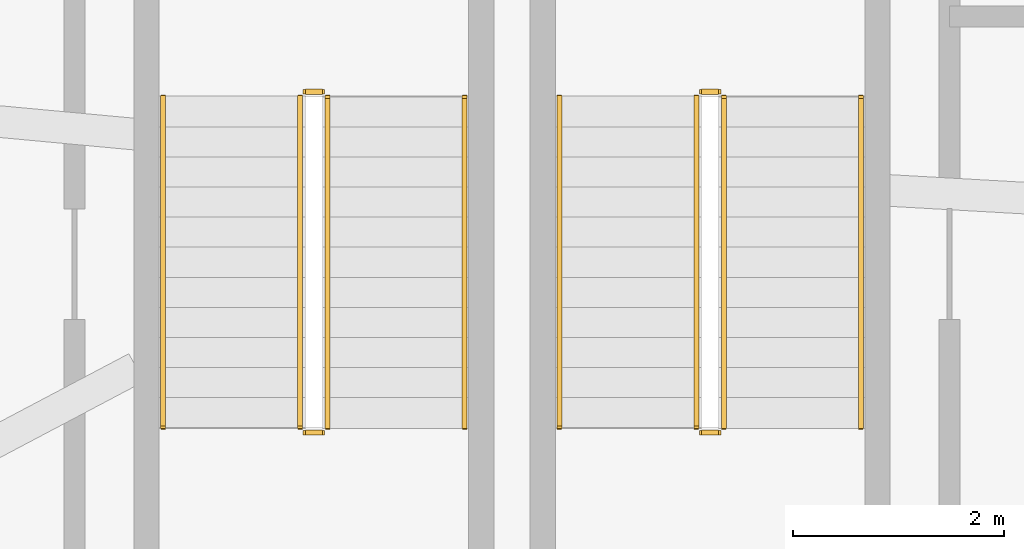
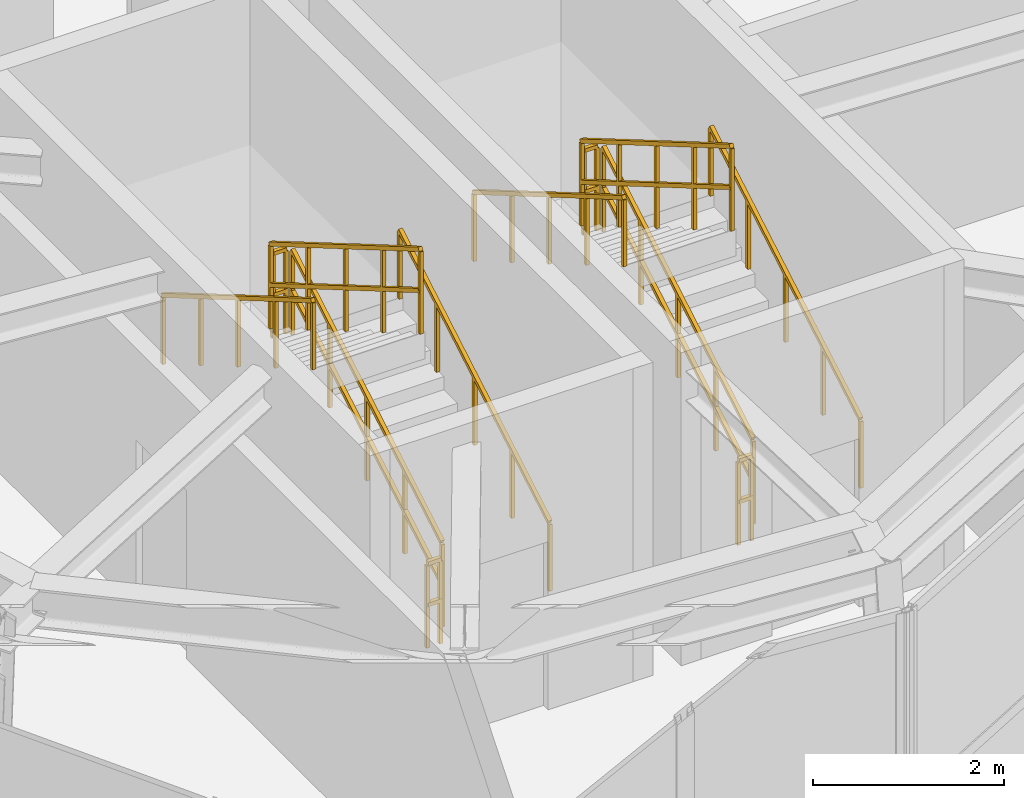
# One storey, part 9 of 9: 12 railings.
"""IFC4 building model written with IfcOpenShell, lengths in metres."""

from ifc_helpers import new_model, si_unit, direction, frame, origin, origin_2d, place, context, subcontext, project, spatial, rectangle, extrude, material, type_object, element, save


model = new_model("IFC4")

# Units and contexts
model_context = context("Model", 3, precision=1e-05, world=origin(), true_north=direction((0.0, 1.0)))
body_context = subcontext(model_context, "Body", "Model", "MODEL_VIEW")
ifc_project = project(units=[si_unit("LENGTHUNIT", "METRE"), si_unit("AREAUNIT", "SQUARE_METRE"), si_unit("VOLUMEUNIT", "CUBIC_METRE"), si_unit("PLANEANGLEUNIT", "RADIAN"), si_unit("MASSUNIT", "GRAM", prefix="KILO"), si_unit("THERMODYNAMICTEMPERATUREUNIT", "KELVIN"), si_unit("POWERUNIT", "WATT")], contexts=[model_context])

# Site, building, storey
site_placement = place(None, origin())
site = spatial("IfcSite", under=ifc_project, at=site_placement, CompositionType="ELEMENT")
building_placement = place(site_placement, origin())
building = spatial("IfcBuilding", under=site, at=building_placement, Name="Ocrelia Relay Tower", CompositionType="ELEMENT")
storey_placement = place(building_placement, frame((0.0, 0.0, 304.0)))
storey = spatial("IfcBuildingStorey", under=building, at=storey_placement, Name="L76", CompositionType="ELEMENT", Elevation=304.0)

# Railings
ifc_material_1 = material(Name="Steel S355 balustrade", Category="steel")
railing_type_1 = type_object("IfcRailingType", Name="RL-STAIR-GUARD", PredefinedType="GUARDRAIL", material=ifc_material_1)
railing_1_placement = place(storey_placement, frame((32.25, 20.64990234375, 0.166748046875)))
element("IfcRailing", 1, at=railing_1_placement, inside=storey, type_object=railing_type_1, Name="L76 ST4 stair guard 1", PredefinedType="GUARDRAIL", context=body_context, shape_type="SweptSolid", body=[
    extrude(rectangle(XDim=0.048095703125, YDim=0.048095703125, at=origin_2d()), frame((0.0, 0.0, 1.076171875), z_axis=(0.0, 0.863239559939, 0.504794475164), x_axis=(-1.0, 0.0, 0.0)), (0.0, 0.0, 1.0), 3.631591796875),
    extrude(rectangle(XDim=0.048095703125, YDim=0.048095703125, at=origin_2d()), frame((0.0, 0.0, 0.550048828125), z_axis=(0.0, 0.863239559939, 0.504794475164), x_axis=(-1.0, 0.0, 0.0)), (0.0, 0.0, 1.0), 3.631591796875),
    extrude(rectangle(XDim=0.0419921875, YDim=0.0419921875, at=origin_2d()), origin(), (0.0, 0.0, 1.0), 1.052001953125),
    extrude(rectangle(XDim=0.0419921875, YDim=0.0419921875, at=origin_2d()), frame((0.0, 0.78369140625, 0.458251953125)), (0.0, 0.0, 1.0), 1.052001953125),
    extrude(rectangle(XDim=0.0419921875, YDim=0.0419921875, at=origin_2d()), frame((0.0, 1.5673828125, 0.91650390625)), (0.0, 0.0, 1.0), 1.052001953125),
    extrude(rectangle(XDim=0.0419921875, YDim=0.0419921875, at=origin_2d()), frame((0.0, 2.351318359375, 1.375)), (0.0, 0.0, 1.0), 1.052001953125),
    extrude(rectangle(XDim=0.0419921875, YDim=0.0419921875, at=origin_2d()), frame((0.0, 3.135009765625, 1.833251953125)), (0.0, 0.0, 1.0), 1.052001953125),
])
railing_2_placement = place(storey_placement, frame((32.199951171875, 23.8349609375, 2.0)))
element("IfcRailing", 2, at=railing_2_placement, inside=storey, type_object=railing_type_1, Name="L76 ST4 stair guard 2", PredefinedType="GUARDRAIL", context=body_context, shape_type="SweptSolid", body=[
    extrude(rectangle(XDim=0.048095703125, YDim=0.048095703125, at=origin_2d()), frame((0.0, 0.0, 1.076171875), z_axis=(-1.0, 0.0, 0.0), x_axis=(0.0, -1.0, 0.0)), (0.0, 0.0, 1.0), 0.159912109375),
    extrude(rectangle(XDim=0.048095703125, YDim=0.048095703125, at=origin_2d()), frame((0.0, 0.0, 0.550048828125), z_axis=(-1.0, 0.0, 0.0), x_axis=(0.0, -1.0, 0.0)), (0.0, 0.0, 1.0), 0.159912109375),
    extrude(rectangle(XDim=0.0419921875, YDim=0.0419921875, at=origin_2d()), origin(), (0.0, 0.0, 1.0), 1.052001953125),
    extrude(rectangle(XDim=0.0419921875, YDim=0.0419921875, at=origin_2d()), frame((-0.159912109375, 0.0, 0.0)), (0.0, 0.0, 1.0), 1.052001953125),
])
railing_3_placement = place(storey_placement, frame((31.989990234375, 23.784912109375, 2.166748046875)))
element("IfcRailing", 3, at=railing_3_placement, inside=storey, type_object=railing_type_1, Name="L76 ST4 stair guard 3", PredefinedType="GUARDRAIL", context=body_context, shape_type="SweptSolid", body=[
    extrude(rectangle(XDim=0.048095703125, YDim=0.048095703125, at=origin_2d()), frame((0.0, 0.0, 1.076171875), z_axis=(0.0, -0.863239559939, 0.504794475164), x_axis=(1.0, 0.0, 0.0)), (0.0, 0.0, 1.0), 3.631591796875),
    extrude(rectangle(XDim=0.048095703125, YDim=0.048095703125, at=origin_2d()), frame((0.0, 0.0, 0.550048828125), z_axis=(0.0, -0.863239559939, 0.504794475164), x_axis=(1.0, 0.0, 0.0)), (0.0, 0.0, 1.0), 3.631591796875),
    extrude(rectangle(XDim=0.0419921875, YDim=0.0419921875, at=origin_2d()), origin(), (0.0, 0.0, 1.0), 1.052001953125),
    extrude(rectangle(XDim=0.0419921875, YDim=0.0419921875, at=origin_2d()), frame((0.0, -0.78369140625, 0.458251953125)), (0.0, 0.0, 1.0), 1.052001953125),
    extrude(rectangle(XDim=0.0419921875, YDim=0.0419921875, at=origin_2d()), frame((0.0, -1.5673828125, 0.91650390625)), (0.0, 0.0, 1.0), 1.052001953125),
    extrude(rectangle(XDim=0.0419921875, YDim=0.0419921875, at=origin_2d()), frame((0.0, -2.351318359375, 1.375)), (0.0, 0.0, 1.0), 1.052001953125),
    extrude(rectangle(XDim=0.0419921875, YDim=0.0419921875, at=origin_2d()), frame((0.0, -3.135009765625, 1.833251953125)), (0.0, 0.0, 1.0), 1.052001953125),
])
railing_4_placement = place(storey_placement, frame((32.199951171875, 20.60009765625, 0.0)))
element("IfcRailing", 4, at=railing_4_placement, inside=storey, type_object=railing_type_1, Name="L76 ST4 stair guard 4", PredefinedType="GUARDRAIL", context=body_context, shape_type="SweptSolid", body=[
    extrude(rectangle(XDim=0.048095703125, YDim=0.048095703125, at=origin_2d()), frame((0.0, 0.0, 1.076171875), z_axis=(-1.0, 0.0, 0.0), x_axis=(0.0, -1.0, 0.0)), (0.0, 0.0, 1.0), 0.159912109375),
    extrude(rectangle(XDim=0.048095703125, YDim=0.048095703125, at=origin_2d()), frame((0.0, 0.0, 0.550048828125), z_axis=(-1.0, 0.0, 0.0), x_axis=(0.0, -1.0, 0.0)), (0.0, 0.0, 1.0), 0.159912109375),
    extrude(rectangle(XDim=0.0419921875, YDim=0.0419921875, at=origin_2d()), origin(), (0.0, 0.0, 1.0), 1.052001953125),
    extrude(rectangle(XDim=0.0419921875, YDim=0.0419921875, at=origin_2d()), frame((-0.159912109375, 0.0, 0.0)), (0.0, 0.0, 1.0), 1.052001953125),
])
railing_5_placement = place(storey_placement, frame((36.010009765625, 20.64990234375, 0.166748046875)))
element("IfcRailing", 5, at=railing_5_placement, inside=storey, type_object=railing_type_1, Name="L76 ST5 stair guard 1", PredefinedType="GUARDRAIL", context=body_context, shape_type="SweptSolid", body=[
    extrude(rectangle(XDim=0.048095703125, YDim=0.048095703125, at=origin_2d()), frame((0.0, 0.0, 1.076171875), z_axis=(0.0, 0.863239559939, 0.504794475164), x_axis=(-1.0, 0.0, 0.0)), (0.0, 0.0, 1.0), 3.631591796875),
    extrude(rectangle(XDim=0.048095703125, YDim=0.048095703125, at=origin_2d()), frame((0.0, 0.0, 0.550048828125), z_axis=(0.0, 0.863239559939, 0.504794475164), x_axis=(-1.0, 0.0, 0.0)), (0.0, 0.0, 1.0), 3.631591796875),
    extrude(rectangle(XDim=0.0419921875, YDim=0.0419921875, at=origin_2d()), origin(), (0.0, 0.0, 1.0), 1.052001953125),
    extrude(rectangle(XDim=0.0419921875, YDim=0.0419921875, at=origin_2d()), frame((0.0, 0.78369140625, 0.458251953125)), (0.0, 0.0, 1.0), 1.052001953125),
    extrude(rectangle(XDim=0.0419921875, YDim=0.0419921875, at=origin_2d()), frame((0.0, 1.5673828125, 0.91650390625)), (0.0, 0.0, 1.0), 1.052001953125),
    extrude(rectangle(XDim=0.0419921875, YDim=0.0419921875, at=origin_2d()), frame((0.0, 2.351318359375, 1.375)), (0.0, 0.0, 1.0), 1.052001953125),
    extrude(rectangle(XDim=0.0419921875, YDim=0.0419921875, at=origin_2d()), frame((0.0, 3.135009765625, 1.833251953125)), (0.0, 0.0, 1.0), 1.052001953125),
])
railing_6_placement = place(storey_placement, frame((35.9599609375, 23.8349609375, 2.0)))
element("IfcRailing", 6, at=railing_6_placement, inside=storey, type_object=railing_type_1, Name="L76 ST5 stair guard 2", PredefinedType="GUARDRAIL", context=body_context, shape_type="SweptSolid", body=[
    extrude(rectangle(XDim=0.048095703125, YDim=0.048095703125, at=origin_2d()), frame((0.0, 0.0, 1.076171875), z_axis=(-1.0, 0.0, 0.0), x_axis=(0.0, -1.0, 0.0)), (0.0, 0.0, 1.0), 0.159912109375),
    extrude(rectangle(XDim=0.048095703125, YDim=0.048095703125, at=origin_2d()), frame((0.0, 0.0, 0.550048828125), z_axis=(-1.0, 0.0, 0.0), x_axis=(0.0, -1.0, 0.0)), (0.0, 0.0, 1.0), 0.159912109375),
    extrude(rectangle(XDim=0.0419921875, YDim=0.0419921875, at=origin_2d()), origin(), (0.0, 0.0, 1.0), 1.052001953125),
    extrude(rectangle(XDim=0.0419921875, YDim=0.0419921875, at=origin_2d()), frame((-0.159912109375, 0.0, 0.0)), (0.0, 0.0, 1.0), 1.052001953125),
])
railing_7_placement = place(storey_placement, frame((35.75, 23.784912109375, 2.166748046875)))
element("IfcRailing", 7, at=railing_7_placement, inside=storey, type_object=railing_type_1, Name="L76 ST5 stair guard 3", PredefinedType="GUARDRAIL", context=body_context, shape_type="SweptSolid", body=[
    extrude(rectangle(XDim=0.048095703125, YDim=0.048095703125, at=origin_2d()), frame((0.0, 0.0, 1.076171875), z_axis=(0.0, -0.863239559939, 0.504794475164), x_axis=(1.0, 0.0, 0.0)), (0.0, 0.0, 1.0), 3.631591796875),
    extrude(rectangle(XDim=0.048095703125, YDim=0.048095703125, at=origin_2d()), frame((0.0, 0.0, 0.550048828125), z_axis=(0.0, -0.863239559939, 0.504794475164), x_axis=(1.0, 0.0, 0.0)), (0.0, 0.0, 1.0), 3.631591796875),
    extrude(rectangle(XDim=0.0419921875, YDim=0.0419921875, at=origin_2d()), origin(), (0.0, 0.0, 1.0), 1.052001953125),
    extrude(rectangle(XDim=0.0419921875, YDim=0.0419921875, at=origin_2d()), frame((0.0, -0.78369140625, 0.458251953125)), (0.0, 0.0, 1.0), 1.052001953125),
    extrude(rectangle(XDim=0.0419921875, YDim=0.0419921875, at=origin_2d()), frame((0.0, -1.5673828125, 0.91650390625)), (0.0, 0.0, 1.0), 1.052001953125),
    extrude(rectangle(XDim=0.0419921875, YDim=0.0419921875, at=origin_2d()), frame((0.0, -2.351318359375, 1.375)), (0.0, 0.0, 1.0), 1.052001953125),
    extrude(rectangle(XDim=0.0419921875, YDim=0.0419921875, at=origin_2d()), frame((0.0, -3.135009765625, 1.833251953125)), (0.0, 0.0, 1.0), 1.052001953125),
])
railing_8_placement = place(storey_placement, frame((35.9599609375, 20.60009765625, 0.0)))
element("IfcRailing", 8, at=railing_8_placement, inside=storey, type_object=railing_type_1, Name="L76 ST5 stair guard 4", PredefinedType="GUARDRAIL", context=body_context, shape_type="SweptSolid", body=[
    extrude(rectangle(XDim=0.048095703125, YDim=0.048095703125, at=origin_2d()), frame((0.0, 0.0, 1.076171875), z_axis=(-1.0, 0.0, 0.0), x_axis=(0.0, -1.0, 0.0)), (0.0, 0.0, 1.0), 0.159912109375),
    extrude(rectangle(XDim=0.048095703125, YDim=0.048095703125, at=origin_2d()), frame((0.0, 0.0, 0.550048828125), z_axis=(-1.0, 0.0, 0.0), x_axis=(0.0, -1.0, 0.0)), (0.0, 0.0, 1.0), 0.159912109375),
    extrude(rectangle(XDim=0.0419921875, YDim=0.0419921875, at=origin_2d()), origin(), (0.0, 0.0, 1.0), 1.052001953125),
    extrude(rectangle(XDim=0.0419921875, YDim=0.0419921875, at=origin_2d()), frame((-0.159912109375, 0.0, 0.0)), (0.0, 0.0, 1.0), 1.052001953125),
])
ifc_material_2 = material(Name="Steel S355 tubular handrail", Category="steel")
railing_type_2 = type_object("IfcRailingType", Name="RL-STAIR-HAND", PredefinedType="HANDRAIL", material=ifc_material_2)
railing_9_placement = place(storey_placement, frame((33.550048828125, 20.64990234375, 0.166748046875)))
element("IfcRailing", 9, at=railing_9_placement, inside=storey, type_object=railing_type_2, Name="L76 ST4 stair handrail 1", PredefinedType="HANDRAIL", context=body_context, shape_type="SweptSolid", body=[
    extrude(rectangle(XDim=0.048095703125, YDim=0.048095703125, at=origin_2d()), frame((0.0, 0.0, 0.8759765625), z_axis=(0.0, 0.863239559939, 0.504794475164), x_axis=(-1.0, 0.0, 0.0)), (0.0, 0.0, 1.0), 3.631591796875),
    extrude(rectangle(XDim=0.0419921875, YDim=0.0419921875, at=origin_2d()), origin(), (0.0, 0.0, 1.0), 0.851806640625),
    extrude(rectangle(XDim=0.0419921875, YDim=0.0419921875, at=origin_2d()), frame((0.0, 0.78369140625, 0.458251953125)), (0.0, 0.0, 1.0), 0.851806640625),
    extrude(rectangle(XDim=0.0419921875, YDim=0.0419921875, at=origin_2d()), frame((0.0, 1.5673828125, 0.91650390625)), (0.0, 0.0, 1.0), 0.851806640625),
    extrude(rectangle(XDim=0.0419921875, YDim=0.0419921875, at=origin_2d()), frame((0.0, 2.351318359375, 1.375)), (0.0, 0.0, 1.0), 0.851806640625),
    extrude(rectangle(XDim=0.0419921875, YDim=0.0419921875, at=origin_2d()), frame((0.0, 3.135009765625, 1.833251953125)), (0.0, 0.0, 1.0), 0.851806640625),
])
railing_10_placement = place(storey_placement, frame((30.68994140625, 23.784912109375, 2.166748046875)))
element("IfcRailing", 10, at=railing_10_placement, inside=storey, type_object=railing_type_2, Name="L76 ST4 stair handrail 2", PredefinedType="HANDRAIL", context=body_context, shape_type="SweptSolid", body=[
    extrude(rectangle(XDim=0.048095703125, YDim=0.048095703125, at=origin_2d()), frame((0.0, 0.0, 0.8759765625), z_axis=(0.0, -0.863239559939, 0.504794475164), x_axis=(1.0, 0.0, 0.0)), (0.0, 0.0, 1.0), 3.631591796875),
    extrude(rectangle(XDim=0.0419921875, YDim=0.0419921875, at=origin_2d()), origin(), (0.0, 0.0, 1.0), 0.851806640625),
    extrude(rectangle(XDim=0.0419921875, YDim=0.0419921875, at=origin_2d()), frame((0.0, -0.78369140625, 0.458251953125)), (0.0, 0.0, 1.0), 0.851806640625),
    extrude(rectangle(XDim=0.0419921875, YDim=0.0419921875, at=origin_2d()), frame((0.0, -1.5673828125, 0.91650390625)), (0.0, 0.0, 1.0), 0.851806640625),
    extrude(rectangle(XDim=0.0419921875, YDim=0.0419921875, at=origin_2d()), frame((0.0, -2.351318359375, 1.375)), (0.0, 0.0, 1.0), 0.851806640625),
    extrude(rectangle(XDim=0.0419921875, YDim=0.0419921875, at=origin_2d()), frame((0.0, -3.135009765625, 1.833251953125)), (0.0, 0.0, 1.0), 0.851806640625),
])
railing_11_placement = place(storey_placement, frame((37.31005859375, 20.64990234375, 0.166748046875)))
element("IfcRailing", 11, at=railing_11_placement, inside=storey, type_object=railing_type_2, Name="L76 ST5 stair handrail 1", PredefinedType="HANDRAIL", context=body_context, shape_type="SweptSolid", body=[
    extrude(rectangle(XDim=0.048095703125, YDim=0.048095703125, at=origin_2d()), frame((0.0, 0.0, 0.8759765625), z_axis=(0.0, 0.863239559939, 0.504794475164), x_axis=(-1.0, 0.0, 0.0)), (0.0, 0.0, 1.0), 3.631591796875),
    extrude(rectangle(XDim=0.0419921875, YDim=0.0419921875, at=origin_2d()), origin(), (0.0, 0.0, 1.0), 0.851806640625),
    extrude(rectangle(XDim=0.0419921875, YDim=0.0419921875, at=origin_2d()), frame((0.0, 0.78369140625, 0.458251953125)), (0.0, 0.0, 1.0), 0.851806640625),
    extrude(rectangle(XDim=0.0419921875, YDim=0.0419921875, at=origin_2d()), frame((0.0, 1.5673828125, 0.91650390625)), (0.0, 0.0, 1.0), 0.851806640625),
    extrude(rectangle(XDim=0.0419921875, YDim=0.0419921875, at=origin_2d()), frame((0.0, 2.351318359375, 1.375)), (0.0, 0.0, 1.0), 0.851806640625),
    extrude(rectangle(XDim=0.0419921875, YDim=0.0419921875, at=origin_2d()), frame((0.0, 3.135009765625, 1.833251953125)), (0.0, 0.0, 1.0), 0.851806640625),
])
railing_12_placement = place(storey_placement, frame((34.449951171875, 23.784912109375, 2.166748046875)))
element("IfcRailing", 12, at=railing_12_placement, inside=storey, type_object=railing_type_2, Name="L76 ST5 stair handrail 2", PredefinedType="HANDRAIL", context=body_context, shape_type="SweptSolid", body=[
    extrude(rectangle(XDim=0.048095703125, YDim=0.048095703125, at=origin_2d()), frame((0.0, 0.0, 0.8759765625), z_axis=(0.0, -0.863239559939, 0.504794475164), x_axis=(1.0, 0.0, 0.0)), (0.0, 0.0, 1.0), 3.631591796875),
    extrude(rectangle(XDim=0.0419921875, YDim=0.0419921875, at=origin_2d()), origin(), (0.0, 0.0, 1.0), 0.851806640625),
    extrude(rectangle(XDim=0.0419921875, YDim=0.0419921875, at=origin_2d()), frame((0.0, -0.78369140625, 0.458251953125)), (0.0, 0.0, 1.0), 0.851806640625),
    extrude(rectangle(XDim=0.0419921875, YDim=0.0419921875, at=origin_2d()), frame((0.0, -1.5673828125, 0.91650390625)), (0.0, 0.0, 1.0), 0.851806640625),
    extrude(rectangle(XDim=0.0419921875, YDim=0.0419921875, at=origin_2d()), frame((0.0, -2.351318359375, 1.375)), (0.0, 0.0, 1.0), 0.851806640625),
    extrude(rectangle(XDim=0.0419921875, YDim=0.0419921875, at=origin_2d()), frame((0.0, -3.135009765625, 1.833251953125)), (0.0, 0.0, 1.0), 0.851806640625),
])

save(model, "model.ifc")
